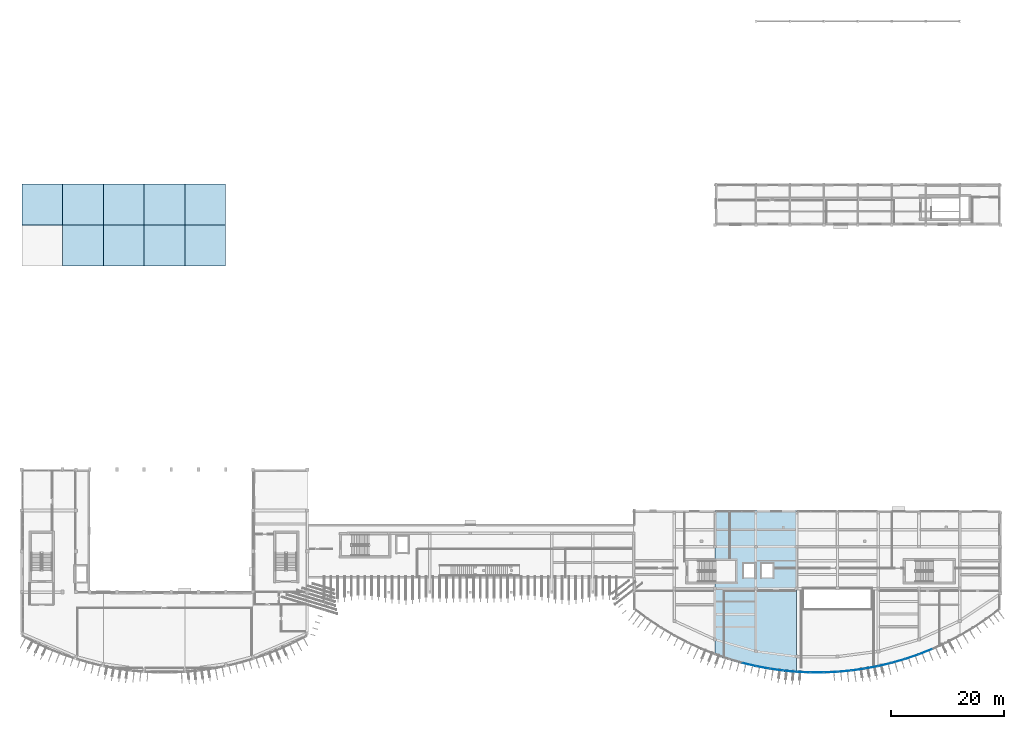
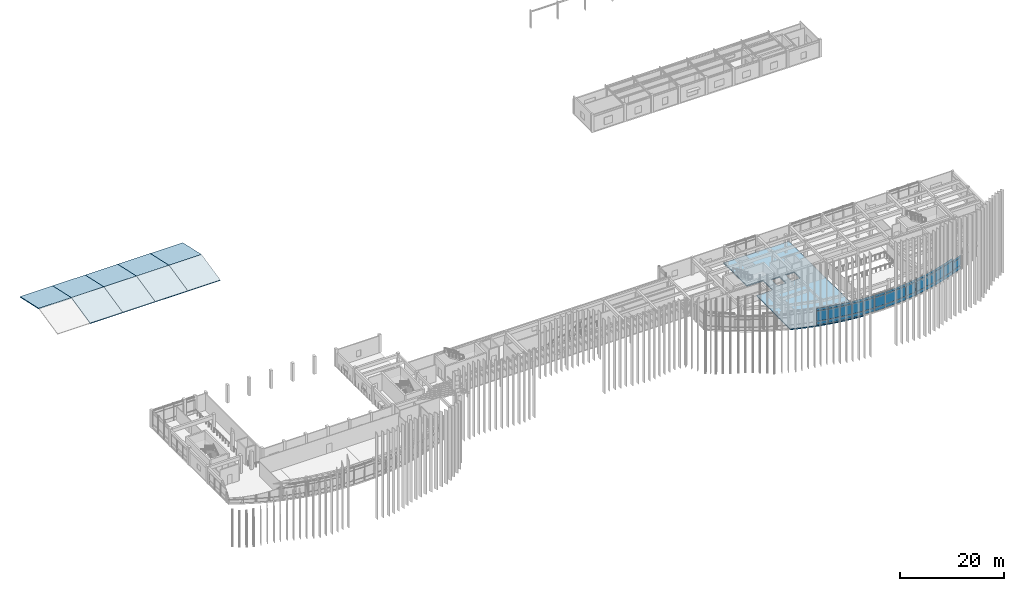
# One storey, part 27 of 47: 42 plates, 10 slabs, 14 elements without a shape of their own.
"""IFC4 building model written with IfcOpenShell, lengths in metres."""

from ifc_helpers import new_model, si_unit, direction, frame, origin, origin_2d, place, context, subcontext, project, spatial, polyline, rectangle, outline, extrude, material, layer, layer_set, type_object, element, aggregate, save


model = new_model("IFC4")

# Units and contexts
model_context = context("Model", 3, precision=1e-05, world=origin(), true_north=direction((0.0, 1.0)))
body_context = subcontext(model_context, "Body", "Model", "MODEL_VIEW")
ifc_project = project(units=[si_unit("LENGTHUNIT", "METRE"), si_unit("AREAUNIT", "SQUARE_METRE"), si_unit("VOLUMEUNIT", "CUBIC_METRE"), si_unit("PLANEANGLEUNIT", "RADIAN"), si_unit("MASSUNIT", "GRAM", prefix="KILO")], contexts=[model_context])

# Site, building, storey
site_placement = place(None, origin())
site = spatial("IfcSite", under=ifc_project, at=site_placement, CompositionType="ELEMENT")
building_placement = place(site_placement, origin())
building = spatial("IfcBuilding", under=site, at=building_placement, Name="Brisavento Harbour Community Centre", CompositionType="ELEMENT")
storey_placement = place(building_placement, frame((0.0, 0.0, 8.699951171875)))
storey = spatial("IfcBuildingStorey", under=building, at=storey_placement, Name="L02", CompositionType="ELEMENT", Elevation=8.699951171875)

# Curtain wall, plates
ifc_material_1 = material(Name="Marine-anodised aluminium AW-6063-T6", Category="aluminium")
ifc_layer_1 = layer(ifc_material_1, 0.179931640625, Name="Marine-anodised aluminium AW-6063-T6")
ifc_layer_set_1 = layer_set([ifc_layer_1], Name="Marine-anodised aluminium AW-6063-T6")
curtain_wall_type_1 = type_object("IfcCurtainWallType", Name="CW-SYS-14", PredefinedType="USERDEFINED", material=ifc_layer_set_1)
curtain_wall_1_placement = place(storey_placement, origin())
curtain_wall_1 = element("IfcCurtainWall", 1, at=curtain_wall_1_placement, inside=storey, type_object=curtain_wall_type_1, Name="L02 V3 unitised curtain wall 126", ObjectType="UNITISED CURTAIN WALL", PredefinedType="USERDEFINED")
ifc_material_2 = material(Name="Solar-control laminated low-E glass", Category="glass")
ifc_layer_2 = layer(ifc_material_2, 0.02392578125, Name="Solar-control laminated low-E glass")
ifc_layer_set_2 = layer_set([ifc_layer_2], Name="Solar-control laminated low-E glass")
plate_type_1 = type_object("IfcPlateType", Name="CWP-GLZ-1", PredefinedType="CURTAIN_PANEL", material=ifc_layer_set_2)
plate_1_placement = place(storey_placement, frame((128.441650390625, 1.59375, 0.070068359375), z_axis=(0.0, 0.0, 1.0), x_axis=(-0.973000103624, 0.230804675748, 0.0)))
plate_1 = element("IfcPlate", 2, at=plate_1_placement, type_object=plate_type_1, Name="CW-14 panel 1.1", PredefinedType="CURTAIN_PANEL", context=body_context, shape_type="SweptSolid", body=[
    extrude(rectangle(XDim=2.29052734375, YDim=0.02392578125, at=origin_2d()), origin(), (0.0, 0.0, 1.0), 0.794921875),
])
plate_2_placement = place(storey_placement, frame((128.441650390625, 1.59375, 0.93505859375), z_axis=(0.0, 0.0, 1.0), x_axis=(-0.973000103624, 0.230804675748, 0.0)))
plate_2 = element("IfcPlate", 3, at=plate_2_placement, type_object=plate_type_1, Name="CW-14 panel 1.2", PredefinedType="CURTAIN_PANEL", context=body_context, shape_type="SweptSolid", body=[
    extrude(rectangle(XDim=2.29052734375, YDim=0.02392578125, at=origin_2d()), origin(), (0.0, 0.0, 1.0), 2.340087890625),
])
plate_3_placement = place(storey_placement, frame((128.441650390625, 1.59375, 3.344970703125), z_axis=(0.0, 0.0, 1.0), x_axis=(-0.973000103624, 0.230804675748, 0.0)))
plate_3 = element("IfcPlate", 4, at=plate_3_placement, type_object=plate_type_1, Name="CW-14 panel 1.3", PredefinedType="CURTAIN_PANEL", context=body_context, shape_type="SweptSolid", body=[
    extrude(rectangle(XDim=2.29052734375, YDim=0.02392578125, at=origin_2d()), origin(), (0.0, 0.0, 1.0), 0.544921875),
])
aggregate(curtain_wall_1, [plate_1, plate_2, plate_3])

ifc_layer_3 = layer(ifc_material_1, 0.179931640625, Name="Marine-anodised aluminium AW-6063-T6")
ifc_layer_set_3 = layer_set([ifc_layer_3], Name="Marine-anodised aluminium AW-6063-T6")
curtain_wall_type_2 = type_object("IfcCurtainWallType", Name="CW-SYS-19", PredefinedType="USERDEFINED", material=ifc_layer_set_3)
curtain_wall_2_placement = place(storey_placement, origin())
curtain_wall_2 = element("IfcCurtainWall", 5, at=curtain_wall_2_placement, inside=storey, type_object=curtain_wall_type_2, Name="L02 V3 unitised curtain wall 131", ObjectType="UNITISED CURTAIN WALL", PredefinedType="USERDEFINED")
plate_4_placement = place(storey_placement, frame((140.39990234375, 0.19384765625, 0.074951171875), z_axis=(0.0, 0.0, 1.0), x_axis=(-1.0, 0.0, 0.0)))
plate_4 = element("IfcPlate", 6, at=plate_4_placement, type_object=plate_type_1, Name="CW-19 panel 1.1", PredefinedType="CURTAIN_PANEL", context=body_context, shape_type="SweptSolid", body=[
    extrude(rectangle(XDim=2.214111328125, YDim=0.02392578125, at=origin_2d()), origin(), (0.0, 0.0, 1.0), 0.78759765625),
])
plate_5_placement = place(storey_placement, frame((140.39990234375, 0.19384765625, 0.9375), z_axis=(0.0, 0.0, 1.0), x_axis=(-1.0, 0.0, 0.0)))
plate_5 = element("IfcPlate", 7, at=plate_5_placement, type_object=plate_type_1, Name="CW-19 panel 1.2", PredefinedType="CURTAIN_PANEL", context=body_context, shape_type="SweptSolid", body=[
    extrude(rectangle(XDim=2.214111328125, YDim=0.02392578125, at=origin_2d()), origin(), (0.0, 0.0, 1.0), 2.3349609375),
])
plate_6_placement = place(storey_placement, frame((140.39990234375, 0.19384765625, 3.347412109375), z_axis=(0.0, 0.0, 1.0), x_axis=(-1.0, 0.0, 0.0)))
plate_6 = element("IfcPlate", 8, at=plate_6_placement, type_object=plate_type_1, Name="CW-19 panel 1.3", PredefinedType="CURTAIN_PANEL", context=body_context, shape_type="SweptSolid", body=[
    extrude(rectangle(XDim=2.214111328125, YDim=0.02392578125, at=origin_2d()), origin(), (0.0, 0.0, 1.0), 0.53759765625),
])
aggregate(curtain_wall_2, [plate_4, plate_5, plate_6])

ifc_layer_4 = layer(ifc_material_1, 0.179931640625, Name="Marine-anodised aluminium AW-6063-T6")
ifc_layer_set_4 = layer_set([ifc_layer_4], Name="Marine-anodised aluminium AW-6063-T6")
curtain_wall_type_3 = type_object("IfcCurtainWallType", Name="CW-SYS-24", PredefinedType="USERDEFINED", material=ifc_layer_set_4)
curtain_wall_3_placement = place(storey_placement, origin())
curtain_wall_3 = element("IfcCurtainWall", 9, at=curtain_wall_3_placement, inside=storey, type_object=curtain_wall_type_3, Name="L02 V3 unitised curtain wall 136", ObjectType="UNITISED CURTAIN WALL", PredefinedType="USERDEFINED")
plate_7_placement = place(storey_placement, frame((152.3583984375, 1.59375, 0.080078125), z_axis=(0.0, 0.0, 1.0), x_axis=(-0.973000103624, -0.230804675748, 0.0)))
plate_7 = element("IfcPlate", 10, at=plate_7_placement, type_object=plate_type_1, Name="CW-24 panel 1.1", PredefinedType="CURTAIN_PANEL", context=body_context, shape_type="SweptSolid", body=[
    extrude(rectangle(XDim=2.2705078125, YDim=0.02392578125, at=origin_2d()), origin(), (0.0, 0.0, 1.0), 0.780029296875),
])
plate_8_placement = place(storey_placement, frame((152.3583984375, 1.59375, 0.93994140625), z_axis=(0.0, 0.0, 1.0), x_axis=(-0.973000103624, -0.230804675748, 0.0)))
plate_8 = element("IfcPlate", 11, at=plate_8_placement, type_object=plate_type_1, Name="CW-24 panel 1.2", PredefinedType="CURTAIN_PANEL", context=body_context, shape_type="SweptSolid", body=[
    extrude(rectangle(XDim=2.2705078125, YDim=0.02392578125, at=origin_2d()), origin(), (0.0, 0.0, 1.0), 2.330078125),
])
plate_9_placement = place(storey_placement, frame((152.3583984375, 1.59375, 3.35009765625), z_axis=(0.0, 0.0, 1.0), x_axis=(-0.973000103624, -0.230804675748, 0.0)))
plate_9 = element("IfcPlate", 12, at=plate_9_placement, type_object=plate_type_1, Name="CW-24 panel 1.3", PredefinedType="CURTAIN_PANEL", context=body_context, shape_type="SweptSolid", body=[
    extrude(rectangle(XDim=2.2705078125, YDim=0.02392578125, at=origin_2d()), origin(), (0.0, 0.0, 1.0), 0.530029296875),
])
aggregate(curtain_wall_3, [plate_7, plate_8, plate_9])

ifc_layer_5 = layer(ifc_material_1, 0.179931640625, Name="Marine-anodised aluminium AW-6063-T6")
ifc_layer_set_5 = layer_set([ifc_layer_5], Name="Marine-anodised aluminium AW-6063-T6")
curtain_wall_type_4 = type_object("IfcCurtainWallType", Name="CW-SYS-15", PredefinedType="USERDEFINED", material=ifc_layer_set_5)
curtain_wall_4_placement = place(storey_placement, origin())
curtain_wall_4 = element("IfcCurtainWall", 13, at=curtain_wall_4_placement, inside=storey, type_object=curtain_wall_type_4, Name="L02 V3 unitised curtain wall 127", ObjectType="UNITISED CURTAIN WALL", PredefinedType="USERDEFINED")
ifc_layer_6 = layer(ifc_material_2, 0.028076171875, Name="Solar-control laminated low-E glass")
ifc_layer_set_6 = layer_set([ifc_layer_6], Name="Solar-control laminated low-E glass")
plate_type_2 = type_object("IfcPlateType", Name="CWP-GLZ-2", PredefinedType="CURTAIN_PANEL", material=ifc_layer_set_6)
plate_10_placement = place(storey_placement, frame((130.833251953125, 1.08544921875, 0.074951171875), z_axis=(0.0, 0.0, 1.0), x_axis=(-0.98280153597, 0.184664942245, 0.0)))
plate_10 = element("IfcPlate", 14, at=plate_10_placement, type_object=plate_type_2, Name="CW-15 panel 1.1", PredefinedType="CURTAIN_PANEL", context=body_context, shape_type="SweptSolid", body=[
    extrude(rectangle(XDim=2.255859375, YDim=0.028076171875, at=origin_2d()), origin(), (0.0, 0.0, 1.0), 0.78759765625),
])
plate_11_placement = place(storey_placement, frame((130.833251953125, 1.08544921875, 0.9375), z_axis=(0.0, 0.0, 1.0), x_axis=(-0.98280153597, 0.184664942245, 0.0)))
plate_11 = element("IfcPlate", 15, at=plate_11_placement, type_object=plate_type_2, Name="CW-15 panel 1.2", PredefinedType="CURTAIN_PANEL", context=body_context, shape_type="SweptSolid", body=[
    extrude(rectangle(XDim=2.255859375, YDim=0.028076171875, at=origin_2d()), origin(), (0.0, 0.0, 1.0), 2.3349609375),
])
plate_12_placement = place(storey_placement, frame((130.833251953125, 1.08544921875, 3.347412109375), z_axis=(0.0, 0.0, 1.0), x_axis=(-0.98280153597, 0.184664942245, 0.0)))
plate_12 = element("IfcPlate", 16, at=plate_12_placement, type_object=plate_type_2, Name="CW-15 panel 1.3", PredefinedType="CURTAIN_PANEL", context=body_context, shape_type="SweptSolid", body=[
    extrude(rectangle(XDim=2.255859375, YDim=0.028076171875, at=origin_2d()), origin(), (0.0, 0.0, 1.0), 0.53759765625),
])
aggregate(curtain_wall_4, [plate_10, plate_11, plate_12])

ifc_layer_7 = layer(ifc_material_1, 0.179931640625, Name="Marine-anodised aluminium AW-6063-T6")
ifc_layer_set_7 = layer_set([ifc_layer_7], Name="Marine-anodised aluminium AW-6063-T6")
curtain_wall_type_5 = type_object("IfcCurtainWallType", Name="CW-SYS-20", PredefinedType="USERDEFINED", material=ifc_layer_set_7)
curtain_wall_5_placement = place(storey_placement, origin())
curtain_wall_5 = element("IfcCurtainWall", 17, at=curtain_wall_5_placement, inside=storey, type_object=curtain_wall_type_5, Name="L02 V3 unitised curtain wall 132", ObjectType="UNITISED CURTAIN WALL", PredefinedType="USERDEFINED")
plate_13_placement = place(storey_placement, frame((142.791748046875, 0.249267578125, 0.080078125), z_axis=(0.0, 0.0, 1.0), x_axis=(-0.998932863993, -0.046185855346, 0.0)))
plate_13 = element("IfcPlate", 18, at=plate_13_placement, type_object=plate_type_2, Name="CW-20 panel 1.1", PredefinedType="CURTAIN_PANEL", context=body_context, shape_type="SweptSolid", body=[
    extrude(rectangle(XDim=2.20654296875, YDim=0.028076171875, at=origin_2d()), origin(), (0.0, 0.0, 1.0), 0.780029296875),
])
plate_14_placement = place(storey_placement, frame((142.791748046875, 0.249267578125, 0.93994140625), z_axis=(0.0, 0.0, 1.0), x_axis=(-0.998932863993, -0.046185855346, 0.0)))
plate_14 = element("IfcPlate", 19, at=plate_14_placement, type_object=plate_type_2, Name="CW-20 panel 1.2", PredefinedType="CURTAIN_PANEL", context=body_context, shape_type="SweptSolid", body=[
    extrude(rectangle(XDim=2.20654296875, YDim=0.028076171875, at=origin_2d()), origin(), (0.0, 0.0, 1.0), 2.330078125),
])
plate_15_placement = place(storey_placement, frame((142.791748046875, 0.249267578125, 3.35009765625), z_axis=(0.0, 0.0, 1.0), x_axis=(-0.998932863993, -0.046185855346, 0.0)))
plate_15 = element("IfcPlate", 20, at=plate_15_placement, type_object=plate_type_2, Name="CW-20 panel 1.3", PredefinedType="CURTAIN_PANEL", context=body_context, shape_type="SweptSolid", body=[
    extrude(rectangle(XDim=2.20654296875, YDim=0.028076171875, at=origin_2d()), origin(), (0.0, 0.0, 1.0), 0.530029296875),
])
aggregate(curtain_wall_5, [plate_13, plate_14, plate_15])

ifc_layer_8 = layer(ifc_material_1, 0.179931640625, Name="Marine-anodised aluminium AW-6063-T6")
ifc_layer_set_8 = layer_set([ifc_layer_8], Name="Marine-anodised aluminium AW-6063-T6")
curtain_wall_type_6 = type_object("IfcCurtainWallType", Name="CW-SYS-25", PredefinedType="USERDEFINED", material=ifc_layer_set_8)
curtain_wall_6_placement = place(storey_placement, origin())
curtain_wall_6 = element("IfcCurtainWall", 21, at=curtain_wall_6_placement, inside=storey, type_object=curtain_wall_type_6, Name="L02 V3 unitised curtain wall 137", ObjectType="UNITISED CURTAIN WALL", PredefinedType="USERDEFINED")
plate_16_placement = place(storey_placement, frame((154.75, 2.22216796875, 0.06494140625), z_axis=(0.0, 0.0, 1.0), x_axis=(-0.960869761126, -0.277000545402, 0.0)))
plate_16 = element("IfcPlate", 22, at=plate_16_placement, type_object=plate_type_2, Name="CW-25 panel 1.1", PredefinedType="CURTAIN_PANEL", context=body_context, shape_type="SweptSolid", body=[
    extrude(rectangle(XDim=2.331787109375, YDim=0.028076171875, at=origin_2d()), origin(), (0.0, 0.0, 1.0), 0.802490234375),
])
plate_17_placement = place(storey_placement, frame((154.75, 2.22216796875, 0.9326171875), z_axis=(0.0, 0.0, 1.0), x_axis=(-0.960869761126, -0.277000545402, 0.0)))
plate_17 = element("IfcPlate", 23, at=plate_17_placement, type_object=plate_type_2, Name="CW-25 panel 1.2", PredefinedType="CURTAIN_PANEL", context=body_context, shape_type="SweptSolid", body=[
    extrude(rectangle(XDim=2.331787109375, YDim=0.028076171875, at=origin_2d()), origin(), (0.0, 0.0, 1.0), 2.344970703125),
])
plate_18_placement = place(storey_placement, frame((154.75, 2.22216796875, 3.3427734375), z_axis=(0.0, 0.0, 1.0), x_axis=(-0.960869761126, -0.277000545402, 0.0)))
plate_18 = element("IfcPlate", 24, at=plate_18_placement, type_object=plate_type_2, Name="CW-25 panel 1.3", PredefinedType="CURTAIN_PANEL", context=body_context, shape_type="SweptSolid", body=[
    extrude(rectangle(XDim=2.331787109375, YDim=0.028076171875, at=origin_2d()), origin(), (0.0, 0.0, 1.0), 0.552490234375),
])
aggregate(curtain_wall_6, [plate_16, plate_17, plate_18])

ifc_layer_9 = layer(ifc_material_1, 0.179931640625, Name="Marine-anodised aluminium AW-6063-T6")
ifc_layer_set_9 = layer_set([ifc_layer_9], Name="Marine-anodised aluminium AW-6063-T6")
curtain_wall_type_7 = type_object("IfcCurtainWallType", Name="CW-SYS-16", PredefinedType="USERDEFINED", material=ifc_layer_set_9)
curtain_wall_7_placement = place(storey_placement, origin())
curtain_wall_7 = element("IfcCurtainWall", 25, at=curtain_wall_7_placement, inside=storey, type_object=curtain_wall_type_7, Name="L02 V3 unitised curtain wall 128", ObjectType="UNITISED CURTAIN WALL", PredefinedType="USERDEFINED")
ifc_layer_10 = layer(ifc_material_2, 0.031982421875, Name="Solar-control laminated low-E glass")
ifc_layer_set_10 = layer_set([ifc_layer_10], Name="Solar-control laminated low-E glass")
plate_type_3 = type_object("IfcPlateType", Name="CWP-GLZ-3", PredefinedType="CURTAIN_PANEL", material=ifc_layer_set_10)
plate_19_placement = place(storey_placement, frame((133.224853515625, 0.693359375, 0.080078125), z_axis=(0.0, 0.0, 1.0), x_axis=(-0.990365657711, 0.138476944024, 0.0)))
plate_19 = element("IfcPlate", 26, at=plate_19_placement, type_object=plate_type_3, Name="CW-16 panel 1.1", PredefinedType="CURTAIN_PANEL", context=body_context, shape_type="SweptSolid", body=[
    extrude(rectangle(XDim=2.227294921875, YDim=0.031982421875, at=origin_2d()), origin(), (0.0, 0.0, 1.0), 0.780029296875),
])
plate_20_placement = place(storey_placement, frame((133.224853515625, 0.693359375, 0.93994140625), z_axis=(0.0, 0.0, 1.0), x_axis=(-0.990365657711, 0.138476944024, 0.0)))
plate_20 = element("IfcPlate", 27, at=plate_20_placement, type_object=plate_type_3, Name="CW-16 panel 1.2", PredefinedType="CURTAIN_PANEL", context=body_context, shape_type="SweptSolid", body=[
    extrude(rectangle(XDim=2.227294921875, YDim=0.031982421875, at=origin_2d()), origin(), (0.0, 0.0, 1.0), 2.330078125),
])
plate_21_placement = place(storey_placement, frame((133.224853515625, 0.693359375, 3.35009765625), z_axis=(0.0, 0.0, 1.0), x_axis=(-0.990365657711, 0.138476944024, 0.0)))
plate_21 = element("IfcPlate", 28, at=plate_21_placement, type_object=plate_type_3, Name="CW-16 panel 1.3", PredefinedType="CURTAIN_PANEL", context=body_context, shape_type="SweptSolid", body=[
    extrude(rectangle(XDim=2.227294921875, YDim=0.031982421875, at=origin_2d()), origin(), (0.0, 0.0, 1.0), 0.530029296875),
])
aggregate(curtain_wall_7, [plate_19, plate_20, plate_21])

ifc_layer_11 = layer(ifc_material_1, 0.179931640625, Name="Marine-anodised aluminium AW-6063-T6")
ifc_layer_set_11 = layer_set([ifc_layer_11], Name="Marine-anodised aluminium AW-6063-T6")
curtain_wall_type_8 = type_object("IfcCurtainWallType", Name="CW-SYS-21", PredefinedType="USERDEFINED", material=ifc_layer_set_11)
curtain_wall_8_placement = place(storey_placement, origin())
curtain_wall_8 = element("IfcCurtainWall", 29, at=curtain_wall_8_placement, inside=storey, type_object=curtain_wall_type_8, Name="L02 V3 unitised curtain wall 133", ObjectType="UNITISED CURTAIN WALL", PredefinedType="USERDEFINED")
plate_22_placement = place(storey_placement, frame((145.183349609375, 0.415283203125, 0.06494140625), z_axis=(0.0, 0.0, 1.0), x_axis=(-0.995733224053, -0.092278635218, 0.0)))
plate_22 = element("IfcPlate", 30, at=plate_22_placement, type_object=plate_type_3, Name="CW-21 panel 1.1", PredefinedType="CURTAIN_PANEL", context=body_context, shape_type="SweptSolid", body=[
    extrude(rectangle(XDim=2.244384765625, YDim=0.031982421875, at=origin_2d()), origin(), (0.0, 0.0, 1.0), 0.802490234375),
])
plate_23_placement = place(storey_placement, frame((145.183349609375, 0.415283203125, 0.9326171875), z_axis=(0.0, 0.0, 1.0), x_axis=(-0.995733224053, -0.092278635218, 0.0)))
plate_23 = element("IfcPlate", 31, at=plate_23_placement, type_object=plate_type_3, Name="CW-21 panel 1.2", PredefinedType="CURTAIN_PANEL", context=body_context, shape_type="SweptSolid", body=[
    extrude(rectangle(XDim=2.244384765625, YDim=0.031982421875, at=origin_2d()), origin(), (0.0, 0.0, 1.0), 2.344970703125),
])
plate_24_placement = place(storey_placement, frame((145.183349609375, 0.415283203125, 3.3427734375), z_axis=(0.0, 0.0, 1.0), x_axis=(-0.995733224053, -0.092278635218, 0.0)))
plate_24 = element("IfcPlate", 32, at=plate_24_placement, type_object=plate_type_3, Name="CW-21 panel 1.3", PredefinedType="CURTAIN_PANEL", context=body_context, shape_type="SweptSolid", body=[
    extrude(rectangle(XDim=2.244384765625, YDim=0.031982421875, at=origin_2d()), origin(), (0.0, 0.0, 1.0), 0.552490234375),
])
aggregate(curtain_wall_8, [plate_22, plate_23, plate_24])

ifc_layer_12 = layer(ifc_material_1, 0.179931640625, Name="Marine-anodised aluminium AW-6063-T6")
ifc_layer_set_12 = layer_set([ifc_layer_12], Name="Marine-anodised aluminium AW-6063-T6")
curtain_wall_type_9 = type_object("IfcCurtainWallType", Name="CW-SYS-26", PredefinedType="USERDEFINED", material=ifc_layer_set_12)
curtain_wall_9_placement = place(storey_placement, origin())
curtain_wall_9 = element("IfcCurtainWall", 33, at=curtain_wall_9_placement, inside=storey, type_object=curtain_wall_type_9, Name="L02 V3 unitised curtain wall 138", ObjectType="UNITISED CURTAIN WALL", PredefinedType="USERDEFINED")
plate_25_placement = place(storey_placement, frame((157.141845703125, 2.975341796875, 0.070068359375), z_axis=(0.0, 0.0, 1.0), x_axis=(-0.94633792227, -0.32317880016, 0.0)))
plate_25 = element("IfcPlate", 34, at=plate_25_placement, type_object=plate_type_3, Name="CW-26 panel 1.1", PredefinedType="CURTAIN_PANEL", context=body_context, shape_type="SweptSolid", body=[
    extrude(rectangle(XDim=2.360107421875, YDim=0.031982421875, at=origin_2d()), origin(), (0.0, 0.0, 1.0), 0.794921875),
])
plate_26_placement = place(storey_placement, frame((157.141845703125, 2.975341796875, 0.93505859375), z_axis=(0.0, 0.0, 1.0), x_axis=(-0.94633792227, -0.32317880016, 0.0)))
plate_26 = element("IfcPlate", 35, at=plate_26_placement, type_object=plate_type_3, Name="CW-26 panel 1.2", PredefinedType="CURTAIN_PANEL", context=body_context, shape_type="SweptSolid", body=[
    extrude(rectangle(XDim=2.360107421875, YDim=0.031982421875, at=origin_2d()), origin(), (0.0, 0.0, 1.0), 2.340087890625),
])
plate_27_placement = place(storey_placement, frame((157.141845703125, 2.975341796875, 3.344970703125), z_axis=(0.0, 0.0, 1.0), x_axis=(-0.94633792227, -0.32317880016, 0.0)))
plate_27 = element("IfcPlate", 36, at=plate_27_placement, type_object=plate_type_3, Name="CW-26 panel 1.3", PredefinedType="CURTAIN_PANEL", context=body_context, shape_type="SweptSolid", body=[
    extrude(rectangle(XDim=2.360107421875, YDim=0.031982421875, at=origin_2d()), origin(), (0.0, 0.0, 1.0), 0.544921875),
])
aggregate(curtain_wall_9, [plate_25, plate_26, plate_27])

ifc_layer_13 = layer(ifc_material_1, 0.179931640625, Name="Marine-anodised aluminium AW-6063-T6")
ifc_layer_set_13 = layer_set([ifc_layer_13], Name="Marine-anodised aluminium AW-6063-T6")
curtain_wall_type_10 = type_object("IfcCurtainWallType", Name="CW-SYS-17", PredefinedType="USERDEFINED", material=ifc_layer_set_13)
curtain_wall_10_placement = place(storey_placement, origin())
curtain_wall_10 = element("IfcCurtainWall", 37, at=curtain_wall_10_placement, inside=storey, type_object=curtain_wall_type_10, Name="L02 V3 unitised curtain wall 129", ObjectType="UNITISED CURTAIN WALL", PredefinedType="USERDEFINED")
ifc_layer_14 = layer(ifc_material_2, 0.035888671875, Name="Solar-control laminated low-E glass")
ifc_layer_set_14 = layer_set([ifc_layer_14], Name="Solar-control laminated low-E glass")
plate_type_4 = type_object("IfcPlateType", Name="CWP-GLZ-4", PredefinedType="CURTAIN_PANEL", material=ifc_layer_set_14)
plate_28_placement = place(storey_placement, frame((135.61669921875, 0.415283203125, 0.06494140625), z_axis=(0.0, 0.0, 1.0), x_axis=(-0.995733224053, 0.092278635218, 0.0)))
plate_28 = element("IfcPlate", 38, at=plate_28_placement, type_object=plate_type_4, Name="CW-17 panel 1.1", PredefinedType="CURTAIN_PANEL", context=body_context, shape_type="SweptSolid", body=[
    extrude(rectangle(XDim=2.244384765625, YDim=0.035888671875, at=origin_2d()), origin(), (0.0, 0.0, 1.0), 0.802490234375),
])
plate_29_placement = place(storey_placement, frame((135.61669921875, 0.415283203125, 0.9326171875), z_axis=(0.0, 0.0, 1.0), x_axis=(-0.995733224053, 0.092278635218, 0.0)))
plate_29 = element("IfcPlate", 39, at=plate_29_placement, type_object=plate_type_4, Name="CW-17 panel 1.2", PredefinedType="CURTAIN_PANEL", context=body_context, shape_type="SweptSolid", body=[
    extrude(rectangle(XDim=2.244384765625, YDim=0.035888671875, at=origin_2d()), origin(), (0.0, 0.0, 1.0), 2.344970703125),
])
plate_30_placement = place(storey_placement, frame((135.61669921875, 0.415283203125, 3.3427734375), z_axis=(0.0, 0.0, 1.0), x_axis=(-0.995733224053, 0.092278635218, 0.0)))
plate_30 = element("IfcPlate", 40, at=plate_30_placement, type_object=plate_type_4, Name="CW-17 panel 1.3", PredefinedType="CURTAIN_PANEL", context=body_context, shape_type="SweptSolid", body=[
    extrude(rectangle(XDim=2.244384765625, YDim=0.035888671875, at=origin_2d()), origin(), (0.0, 0.0, 1.0), 0.552490234375),
])
aggregate(curtain_wall_10, [plate_28, plate_29, plate_30])

ifc_layer_15 = layer(ifc_material_1, 0.179931640625, Name="Marine-anodised aluminium AW-6063-T6")
ifc_layer_set_15 = layer_set([ifc_layer_15], Name="Marine-anodised aluminium AW-6063-T6")
curtain_wall_type_11 = type_object("IfcCurtainWallType", Name="CW-SYS-22", PredefinedType="USERDEFINED", material=ifc_layer_set_15)
curtain_wall_11_placement = place(storey_placement, origin())
curtain_wall_11 = element("IfcCurtainWall", 41, at=curtain_wall_11_placement, inside=storey, type_object=curtain_wall_type_11, Name="L02 V3 unitised curtain wall 134", ObjectType="UNITISED CURTAIN WALL", PredefinedType="USERDEFINED")
plate_31_placement = place(storey_placement, frame((147.5751953125, 0.693359375, 0.070068359375), z_axis=(0.0, 0.0, 1.0), x_axis=(-0.990365657711, -0.138476944024, 0.0)))
plate_31 = element("IfcPlate", 42, at=plate_31_placement, type_object=plate_type_4, Name="CW-22 panel 1.1", PredefinedType="CURTAIN_PANEL", context=body_context, shape_type="SweptSolid", body=[
    extrude(rectangle(XDim=2.247314453125, YDim=0.035888671875, at=origin_2d()), origin(), (0.0, 0.0, 1.0), 0.794921875),
])
plate_32_placement = place(storey_placement, frame((147.5751953125, 0.693359375, 0.93505859375), z_axis=(0.0, 0.0, 1.0), x_axis=(-0.990365657711, -0.138476944024, 0.0)))
plate_32 = element("IfcPlate", 43, at=plate_32_placement, type_object=plate_type_4, Name="CW-22 panel 1.2", PredefinedType="CURTAIN_PANEL", context=body_context, shape_type="SweptSolid", body=[
    extrude(rectangle(XDim=2.247314453125, YDim=0.035888671875, at=origin_2d()), origin(), (0.0, 0.0, 1.0), 2.340087890625),
])
plate_33_placement = place(storey_placement, frame((147.5751953125, 0.693359375, 3.344970703125), z_axis=(0.0, 0.0, 1.0), x_axis=(-0.990365657711, -0.138476944024, 0.0)))
plate_33 = element("IfcPlate", 44, at=plate_33_placement, type_object=plate_type_4, Name="CW-22 panel 1.3", PredefinedType="CURTAIN_PANEL", context=body_context, shape_type="SweptSolid", body=[
    extrude(rectangle(XDim=2.247314453125, YDim=0.035888671875, at=origin_2d()), origin(), (0.0, 0.0, 1.0), 0.544921875),
])
aggregate(curtain_wall_11, [plate_31, plate_32, plate_33])

ifc_layer_16 = layer(ifc_material_1, 0.179931640625, Name="Marine-anodised aluminium AW-6063-T6")
ifc_layer_set_16 = layer_set([ifc_layer_16], Name="Marine-anodised aluminium AW-6063-T6")
curtain_wall_type_12 = type_object("IfcCurtainWallType", Name="CW-SYS-27", PredefinedType="USERDEFINED", material=ifc_layer_set_16)
curtain_wall_12_placement = place(storey_placement, origin())
curtain_wall_12 = element("IfcCurtainWall", 45, at=curtain_wall_12_placement, inside=storey, type_object=curtain_wall_type_12, Name="L02 V3 unitised curtain wall 139", ObjectType="UNITISED CURTAIN WALL", PredefinedType="USERDEFINED")
plate_34_placement = place(storey_placement, frame((159.533447265625, 3.85888671875, 0.074951171875), z_axis=(0.0, 0.0, 1.0), x_axis=(-0.929278798027, -0.369379094613, 0.0)))
plate_34 = element("IfcPlate", 46, at=plate_34_placement, type_object=plate_type_4, Name="CW-27 panel 1.1", PredefinedType="CURTAIN_PANEL", context=body_context, shape_type="SweptSolid", body=[
    extrude(rectangle(XDim=2.396728515625, YDim=0.035888671875, at=origin_2d()), origin(), (0.0, 0.0, 1.0), 0.78759765625),
])
plate_35_placement = place(storey_placement, frame((159.533447265625, 3.85888671875, 0.9375), z_axis=(0.0, 0.0, 1.0), x_axis=(-0.929278798027, -0.369379094613, 0.0)))
plate_35 = element("IfcPlate", 47, at=plate_35_placement, type_object=plate_type_4, Name="CW-27 panel 1.2", PredefinedType="CURTAIN_PANEL", context=body_context, shape_type="SweptSolid", body=[
    extrude(rectangle(XDim=2.396728515625, YDim=0.035888671875, at=origin_2d()), origin(), (0.0, 0.0, 1.0), 1.735107421875),
])
plate_36_placement = place(storey_placement, frame((159.533447265625, 3.85888671875, 2.74755859375), z_axis=(0.0, 0.0, 1.0), x_axis=(-0.929278798027, -0.369379094613, 0.0)))
plate_36 = element("IfcPlate", 48, at=plate_36_placement, type_object=plate_type_4, Name="CW-27 panel 1.3", PredefinedType="CURTAIN_PANEL", context=body_context, shape_type="SweptSolid", body=[
    extrude(rectangle(XDim=2.396728515625, YDim=0.035888671875, at=origin_2d()), origin(), (0.0, 0.0, 1.0), 0.53759765625),
])
aggregate(curtain_wall_12, [plate_34, plate_35, plate_36])

ifc_layer_17 = layer(ifc_material_1, 0.179931640625, Name="Marine-anodised aluminium AW-6063-T6")
ifc_layer_set_17 = layer_set([ifc_layer_17], Name="Marine-anodised aluminium AW-6063-T6")
curtain_wall_type_13 = type_object("IfcCurtainWallType", Name="CW-SYS-18", PredefinedType="USERDEFINED", material=ifc_layer_set_17)
curtain_wall_13_placement = place(storey_placement, origin())
curtain_wall_13 = element("IfcCurtainWall", 49, at=curtain_wall_13_placement, inside=storey, type_object=curtain_wall_type_13, Name="L02 V3 unitised curtain wall 130", ObjectType="UNITISED CURTAIN WALL", PredefinedType="USERDEFINED")
ifc_layer_18 = layer(ifc_material_2, 0.0400390625, Name="Solar-control laminated low-E glass")
ifc_layer_set_18 = layer_set([ifc_layer_18], Name="Solar-control laminated low-E glass")
plate_type_5 = type_object("IfcPlateType", Name="CWP-GLZ-5", PredefinedType="CURTAIN_PANEL", material=ifc_layer_set_18)
plate_37_placement = place(storey_placement, frame((138.00830078125, 0.249267578125, 0.070068359375), z_axis=(0.0, 0.0, 1.0), x_axis=(-0.998932863993, 0.046185855346, 0.0)))
plate_37 = element("IfcPlate", 50, at=plate_37_placement, type_object=plate_type_5, Name="CW-18 panel 1.1", PredefinedType="CURTAIN_PANEL", context=body_context, shape_type="SweptSolid", body=[
    extrude(rectangle(XDim=2.2265625, YDim=0.0400390625, at=origin_2d()), origin(), (0.0, 0.0, 1.0), 0.794921875),
])
plate_38_placement = place(storey_placement, frame((138.00830078125, 0.249267578125, 0.93505859375), z_axis=(0.0, 0.0, 1.0), x_axis=(-0.998932863993, 0.046185855346, 0.0)))
plate_38 = element("IfcPlate", 51, at=plate_38_placement, type_object=plate_type_5, Name="CW-18 panel 1.2", PredefinedType="CURTAIN_PANEL", context=body_context, shape_type="SweptSolid", body=[
    extrude(rectangle(XDim=2.2265625, YDim=0.0400390625, at=origin_2d()), origin(), (0.0, 0.0, 1.0), 2.340087890625),
])
plate_39_placement = place(storey_placement, frame((138.00830078125, 0.249267578125, 3.344970703125), z_axis=(0.0, 0.0, 1.0), x_axis=(-0.998932863993, 0.046185855346, 0.0)))
plate_39 = element("IfcPlate", 52, at=plate_39_placement, type_object=plate_type_5, Name="CW-18 panel 1.3", PredefinedType="CURTAIN_PANEL", context=body_context, shape_type="SweptSolid", body=[
    extrude(rectangle(XDim=2.2265625, YDim=0.0400390625, at=origin_2d()), origin(), (0.0, 0.0, 1.0), 0.544921875),
])
aggregate(curtain_wall_13, [plate_37, plate_38, plate_39])

ifc_layer_19 = layer(ifc_material_1, 0.179931640625, Name="Marine-anodised aluminium AW-6063-T6")
ifc_layer_set_19 = layer_set([ifc_layer_19], Name="Marine-anodised aluminium AW-6063-T6")
curtain_wall_type_14 = type_object("IfcCurtainWallType", Name="CW-SYS-23", PredefinedType="USERDEFINED", material=ifc_layer_set_19)
curtain_wall_14_placement = place(storey_placement, origin())
curtain_wall_14 = element("IfcCurtainWall", 53, at=curtain_wall_14_placement, inside=storey, type_object=curtain_wall_type_14, Name="L02 V3 unitised curtain wall 135", ObjectType="UNITISED CURTAIN WALL", PredefinedType="USERDEFINED")
plate_40_placement = place(storey_placement, frame((149.966796875, 1.08544921875, 0.074951171875), z_axis=(0.0, 0.0, 1.0), x_axis=(-0.98280153597, -0.184664942245, 0.0)))
plate_40 = element("IfcPlate", 54, at=plate_40_placement, type_object=plate_type_5, Name="CW-23 panel 1.1", PredefinedType="CURTAIN_PANEL", context=body_context, shape_type="SweptSolid", body=[
    extrude(rectangle(XDim=2.255859375, YDim=0.0400390625, at=origin_2d()), origin(), (0.0, 0.0, 1.0), 0.78759765625),
])
plate_41_placement = place(storey_placement, frame((149.966796875, 1.08544921875, 0.9375), z_axis=(0.0, 0.0, 1.0), x_axis=(-0.98280153597, -0.184664942245, 0.0)))
plate_41 = element("IfcPlate", 55, at=plate_41_placement, type_object=plate_type_5, Name="CW-23 panel 1.2", PredefinedType="CURTAIN_PANEL", context=body_context, shape_type="SweptSolid", body=[
    extrude(rectangle(XDim=2.255859375, YDim=0.0400390625, at=origin_2d()), origin(), (0.0, 0.0, 1.0), 2.3349609375),
])
plate_42_placement = place(storey_placement, frame((149.966796875, 1.08544921875, 3.347412109375), z_axis=(0.0, 0.0, 1.0), x_axis=(-0.98280153597, -0.184664942245, 0.0)))
plate_42 = element("IfcPlate", 56, at=plate_42_placement, type_object=plate_type_5, Name="CW-23 panel 1.3", PredefinedType="CURTAIN_PANEL", context=body_context, shape_type="SweptSolid", body=[
    extrude(rectangle(XDim=2.255859375, YDim=0.0400390625, at=origin_2d()), origin(), (0.0, 0.0, 1.0), 0.53759765625),
])
aggregate(curtain_wall_14, [plate_40, plate_41, plate_42])

# Slabs
ifc_material_3 = material(Name="Concrete C35/45", Category="concrete")
ifc_layer_20 = layer(ifc_material_3, 0.25, Name="Concrete C35/45")
ifc_layer_set_20 = layer_set([ifc_layer_20], Name="Concrete C35/45")
slab_type_1 = type_object("IfcSlabType", Name="SLB-FLR-250", PredefinedType="FLOOR", material=ifc_layer_set_20)
slab_placement = place(storey_placement, frame((0.0, 0.0, -0.25)))
element("IfcSlab", 57, at=slab_placement, inside=storey, type_object=slab_type_1, Name="L02 V3 structural floor slab 037", PredefinedType="FLOOR", context=body_context, shape_type="SweptSolid", body=[
    extrude(outline(polyline([(122.39990234375, 28.800048828125), (122.39990234375, 19.94189453125), (125.991943359375, 19.94189453125), (125.991943359375, 16.2080078125), (122.39990234375, 16.2080078125), (122.39990234375, 3.21484375), (124.800048828125, 2.395263671875), (127.199951171875, 1.703369140625), (129.60009765625, 1.1337890625), (132.0, 0.682861328125), (134.39990234375, 0.347412109375), (136.800048828125, 0.124755859375), (136.800048828125, 28.800048828125), (122.39990234375, 28.800048828125)]), holes=[polyline([(129.35009765625, 19.39990234375), (129.35009765625, 17.0), (127.449951171875, 17.0), (127.449951171875, 19.39990234375), (129.35009765625, 19.39990234375)]), polyline([(132.550048828125, 17.0), (130.64990234375, 17.0), (130.64990234375, 19.39990234375), (132.550048828125, 19.39990234375), (132.550048828125, 17.0)])]), origin(), (0.0, 0.0, 1.0), 0.25),
])
ifc_layer_21 = layer(ifc_material_3, 0.199951171875, Name="Concrete C35/45")
ifc_layer_set_21 = layer_set([ifc_layer_21], Name="Concrete C35/45")
slab_type_2 = type_object("IfcSlabType", Name="SLB-PAV-200", PredefinedType="ROOF", material=ifc_layer_set_21)
for number, where, z_axis, x_axis, name in (
    (58, (0.0, 79.199951171875, 1.60009765625), (0.0, 0.216944477077, 0.976183944688), (1.0, 0.0, 0.0), "Dining Pavilion north roof slope 1"),
    (59, (7.199951171875, 72.0, 0.0), (0.0, -0.216944477077, 0.976183944688), (1.0, 0.0, 0.0), "Dining Pavilion south roof slope 2"),
    (60, (7.199951171875, 79.199951171875, 1.60009765625), (0.0, 0.216944477077, 0.976183944688), (1.0, 0.0, 0.0), "Dining Pavilion north roof slope 2"),
):
    element("IfcSlab", number, at=place(storey_placement, frame(where, z_axis=z_axis, x_axis=x_axis)), inside=storey, type_object=slab_type_2, Name=name, PredefinedType="ROOF", context=body_context, shape_type="SweptSolid", body=[
        extrude(outline(polyline([(0.0, 0.0), (7.199951171875, 0.0), (7.199951171875, 7.3756090858261265), (0.0, 7.3756090858261265), (0.0, 0.0)])), origin(), (0.0, 0.0, -1.0), 0.199951171875),
    ])
for number, where, z_axis, x_axis, name in (
    (61, (14.39990234375, 72.0, 0.0), (0.0, -0.216944477077, 0.976183944688), (1.0, 0.0, 0.0), "Dining Pavilion south roof slope 3"),
    (62, (14.39990234375, 79.199951171875, 1.60009765625), (0.0, 0.216944477077, 0.976183944688), (1.0, 0.0, 0.0), "Dining Pavilion north roof slope 3"),
):
    element("IfcSlab", number, at=place(storey_placement, frame(where, z_axis=z_axis, x_axis=x_axis)), inside=storey, type_object=slab_type_2, Name=name, PredefinedType="ROOF", context=body_context, shape_type="SweptSolid", body=[
        extrude(outline(polyline([(0.0, 0.0), (7.2001953125, 0.0), (7.2001953125, 7.375609085826127), (0.0, 7.375609085826127), (0.0, 0.0)])), origin(), (0.0, 0.0, -1.0), 0.199951171875),
    ])
for number, where, z_axis, x_axis, name in (
    (63, (21.60009765625, 72.0, 0.0), (0.0, -0.216944477077, 0.976183944688), (1.0, 0.0, 0.0), "Dining Pavilion south roof slope 4"),
    (64, (21.60009765625, 79.199951171875, 1.60009765625), (0.0, 0.216944477077, 0.976183944688), (1.0, 0.0, 0.0), "Dining Pavilion north roof slope 4"),
    (65, (28.800048828125, 72.0, 0.0), (0.0, -0.216944477077, 0.976183944688), (1.0, 0.0, 0.0), "Dining Pavilion south roof slope 5"),
    (66, (28.800048828125, 79.199951171875, 1.60009765625), (0.0, 0.216944477077, 0.976183944688), (1.0, 0.0, 0.0), "Dining Pavilion north roof slope 5"),
):
    element("IfcSlab", number, at=place(storey_placement, frame(where, z_axis=z_axis, x_axis=x_axis)), inside=storey, type_object=slab_type_2, Name=name, PredefinedType="ROOF", context=body_context, shape_type="SweptSolid", body=[
        extrude(outline(polyline([(0.0, 0.0), (7.199951171875, 0.0), (7.199951171875, 7.3756090858261265), (0.0, 7.3756090858261265), (0.0, 0.0)])), origin(), (0.0, 0.0, -1.0), 0.199951171875),
    ])

save(model, "model.ifc")
